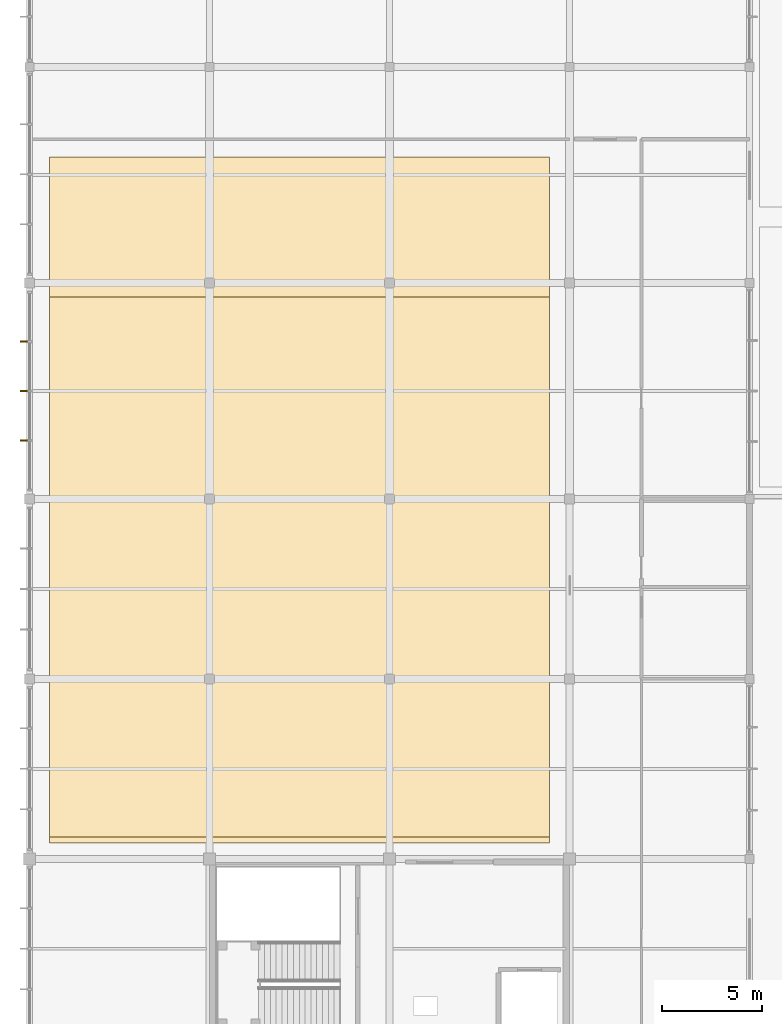
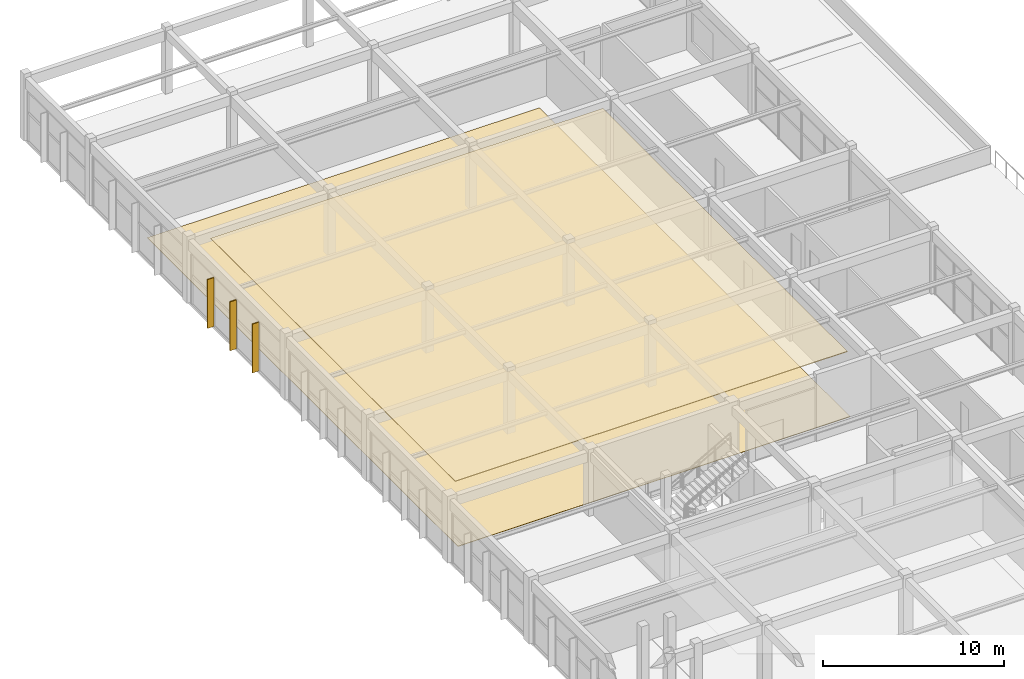
# One storey, part 79 of 89: 3 shading devices, 2 coverings.
"""IFC4 building model written with IfcOpenShell, lengths in metres."""

from ifc_helpers import new_model, si_unit, direction, frame, origin, origin_2d, place, context, subcontext, project, spatial, polyline, rectangle, outline, extrude, material, layer, layer_set, type_object, element, save


model = new_model("IFC4")

# Units and contexts
model_context = context("Model", 3, precision=1e-05, world=origin(), true_north=direction((0.0, 1.0)))
body_context = subcontext(model_context, "Body", "Model", "MODEL_VIEW")
ifc_project = project(units=[si_unit("LENGTHUNIT", "METRE"), si_unit("AREAUNIT", "SQUARE_METRE"), si_unit("VOLUMEUNIT", "CUBIC_METRE"), si_unit("PLANEANGLEUNIT", "RADIAN"), si_unit("MASSUNIT", "GRAM", prefix="KILO")], contexts=[model_context])

# Site, building, storey
site_placement = place(None, origin())
site = spatial("IfcSite", under=ifc_project, at=site_placement, CompositionType="ELEMENT")
building_placement = place(site_placement, origin())
building = spatial("IfcBuilding", under=site, at=building_placement, Name="Suirenkawa Promenade Aquatics Centre", CompositionType="ELEMENT")
storey_placement = place(building_placement, frame((0.0, 0.0, 9.60009765625)))
storey = spatial("IfcBuildingStorey", under=building, at=storey_placement, Name="L02", CompositionType="ELEMENT", Elevation=9.60009765625)

# Coverings
ifc_material_1 = material(Name="Anodised aluminium 6063-T6", Category="aluminium")
ifc_layer_1 = layer(ifc_material_1, 0.044921875, Name="Anodised aluminium 6063-T6", Category="aluminium")
ifc_layer_set_1 = layer_set([ifc_layer_1], Name="Anodised aluminium 6063-T6")
covering_type_1 = type_object("IfcCoveringType", Name="CVT-BAFFLE-CEIL", PredefinedType="CEILING", material=ifc_layer_set_1)
covering_1_placement = place(storey_placement, frame((0.0, 0.0, 4.19482421875)))
element("IfcCovering", 1, at=covering_1_placement, inside=storey, type_object=covering_type_1, Name="Acoustic baffle ceiling CLG-01 CLG-007", PredefinedType="CEILING", context=body_context, shape_type="SweptSolid", body=[
    extrude(outline(polyline([(1.0, 69.5), (26.0, 69.5), (26.0, 96.5), (1.0, 96.5), (1.0, 69.5)])), origin(), (0.0, 0.0, 1.0), 0.045166015625),
])
ifc_material_2 = material(Name="Engineered maple acoustic sports timber", Category="wood")
ifc_layer_2 = layer(ifc_material_2, 0.030029296875, Name="Engineered maple acoustic sports timber", Category="wood")
ifc_layer_set_2 = layer_set([ifc_layer_2], Name="Engineered maple acoustic sports timber")
covering_type_2 = type_object("IfcCoveringType", Name="CVT-SPORTS-MAPLE", PredefinedType="FLOORING", material=ifc_layer_set_2)
covering_2_placement = place(storey_placement, origin())
element("IfcCovering", 2, at=covering_2_placement, inside=storey, type_object=covering_type_2, Name="Floor finish FLR-02 FLR-009", PredefinedType="FLOORING", context=body_context, shape_type="SweptSolid", body=[
    extrude(outline(polyline([(1.0, 69.199951171875), (26.0, 69.199951171875), (26.0, 103.5), (1.0, 103.5), (1.0, 69.199951171875)])), origin(), (0.0, 0.0, 1.0), 0.02978515625),
])

# Shading devices
shading_device_type = type_object("IfcShadingDeviceType", Name="SDT-KOUSHI-400", PredefinedType="USERDEFINED", material=ifc_material_1)
for number, where, z_axis, x_axis, name in (
    (3, (-0.287109375, 89.324462890625, 0.039794921875), (0.0, 0.0, 1.0), (-1.0, 0.0, 0.0), "Vertical solar shading fin FN-01 FIN-0181"),
    (4, (-0.287109375, 91.800048828125, 0.039794921875), (0.0, 0.0, 1.0), (-1.0, 0.0, 0.0), "Vertical solar shading fin FN-01 FIN-0182"),
    (5, (-0.287109375, 94.275390625, 0.039794921875), (0.0, 0.0, 1.0), (-1.0, 0.0, 0.0), "Vertical solar shading fin FN-01 FIN-0183"),
):
    element("IfcShadingDevice", number, at=place(storey_placement, frame(where, z_axis=z_axis, x_axis=x_axis)), inside=storey, type_object=shading_device_type, Name=name, ObjectType="FIN", PredefinedType="USERDEFINED", context=body_context, shape_type="SweptSolid", body=[
        extrude(rectangle(XDim=0.39990234375, YDim=0.06005859375, at=origin_2d()), origin(), (0.0, 0.0, 1.0), 3.2900390625),
    ])

save(model, "model.ifc")
